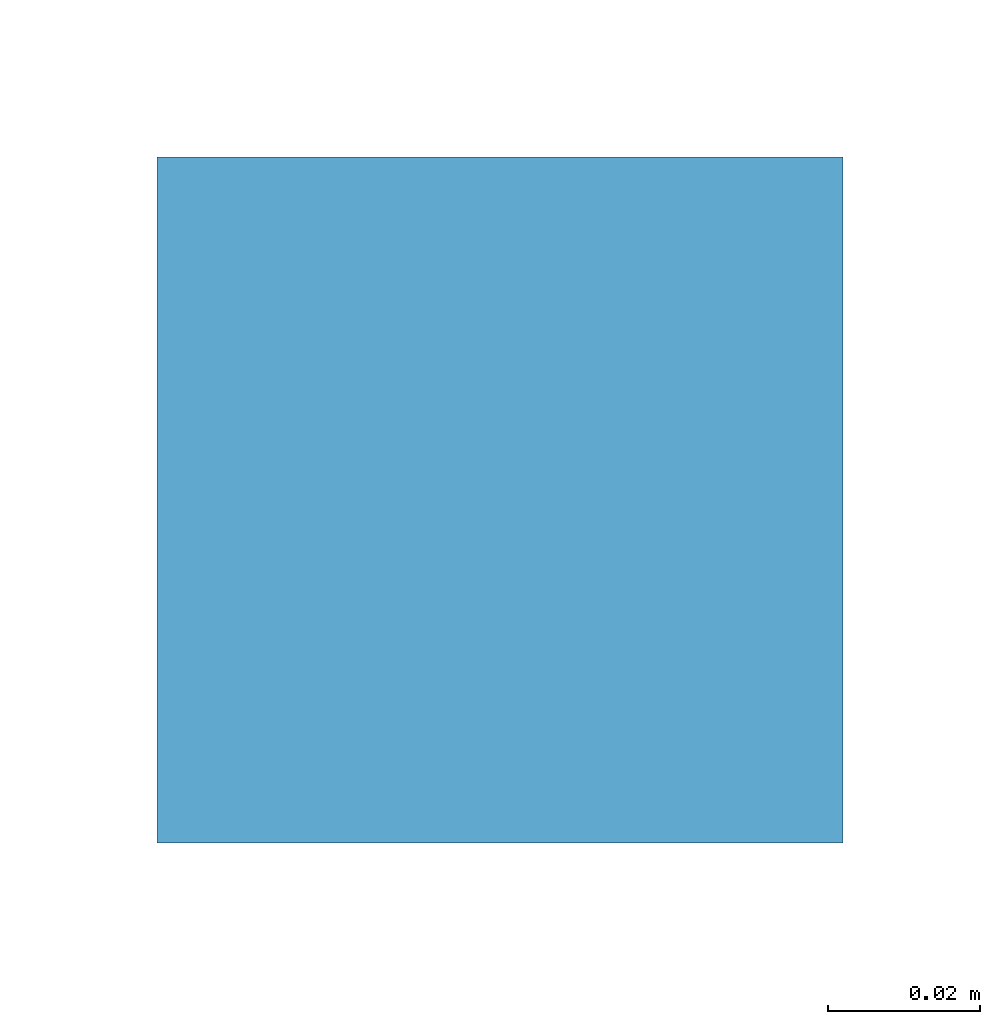
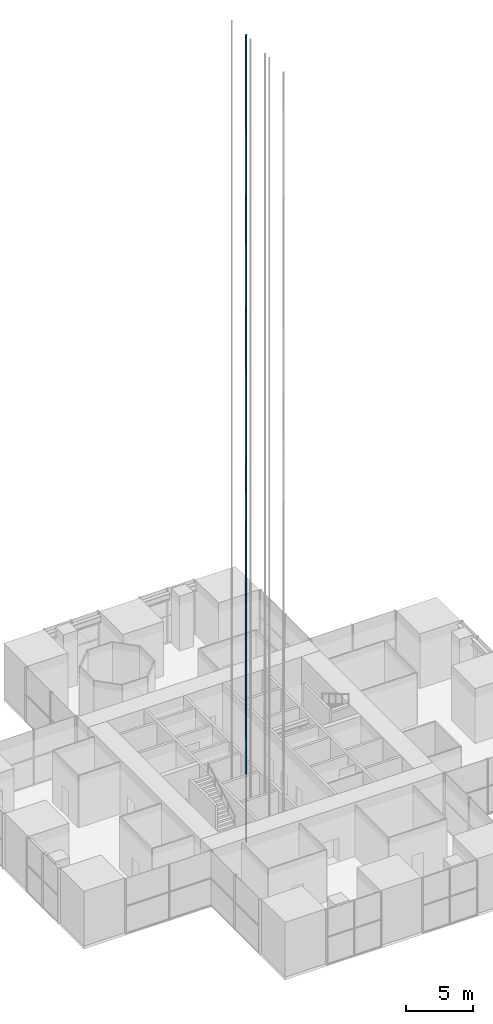
# One storey, part 12 of 16: 1 discrete accessory.
"""IFC4 building model written with IfcOpenShell, lengths in metres."""

from ifc_helpers import new_model, si_unit, direction, frame, origin, origin_2d, place, context, subcontext, project, spatial, rectangle, extrude, element, save


model = new_model("IFC4")

# Units and contexts
model_context = context("Model", 3, precision=1e-05, world=origin(), true_north=direction((0.0, 1.0)))
body_context = subcontext(model_context, "Body", "Model", "MODEL_VIEW")
ifc_project = project(units=[si_unit("LENGTHUNIT", "METRE"), si_unit("AREAUNIT", "SQUARE_METRE"), si_unit("VOLUMEUNIT", "CUBIC_METRE"), si_unit("PLANEANGLEUNIT", "RADIAN"), si_unit("MASSUNIT", "GRAM", prefix="KILO")], contexts=[model_context])

# Site, building, storey
site_placement = place(None, origin())
site = spatial("IfcSite", under=ifc_project, at=site_placement, CompositionType="ELEMENT")
building_placement = place(site_placement, origin())
building = spatial("IfcBuilding", under=site, at=building_placement, Name="Svetlomir Tower", CompositionType="ELEMENT")
storey_placement = place(building_placement, frame((0.0, 0.0, 91.5)))
storey = spatial("IfcBuildingStorey", under=building, at=storey_placement, Name="L21", CompositionType="ELEMENT", Elevation=91.5)

# Discrete accessory
discrete_accessory_placement = place(storey_placement, frame((18.300048828125, 18.425048828125, -1.400146484375), z_axis=(0.0, 0.0, 1.0), x_axis=(1.0, 0.0, 0.0)))
element("IfcDiscreteAccessory", 1, at=discrete_accessory_placement, inside=storey, Name="Lift LB3 guide rail 1", ObjectType="LIFT GUIDE RAIL", PredefinedType="USERDEFINED", context=body_context, shape_type="SweptSolid", body=[
    extrude(rectangle(XDim=0.090087890625, YDim=0.090087890625, at=origin_2d()), origin(), (0.0, 0.0, 1.0), 73.60009765625),
])

save(model, "model.ifc")
